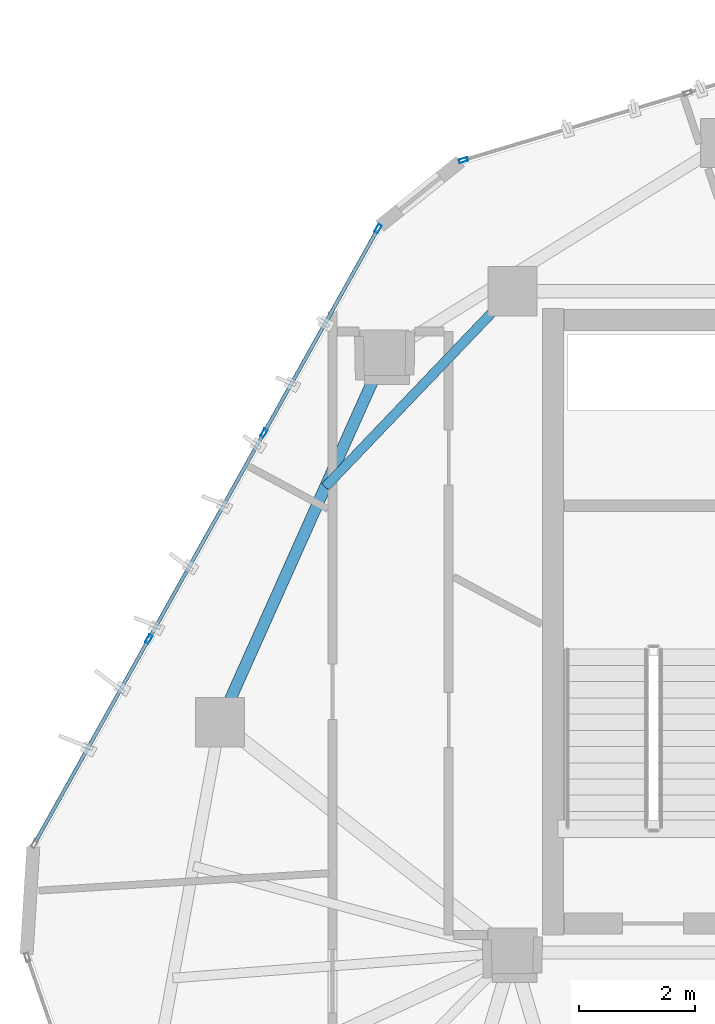
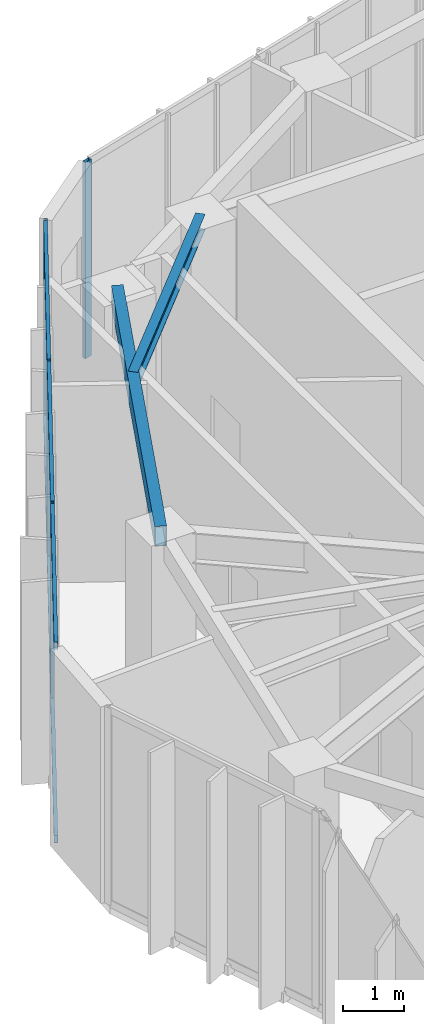
# One storey, part 8 of 20: 10 members, 2 beams, 2 elements without a shape of their own.
"""IFC4 building model written with IfcOpenShell, lengths in metres."""

from ifc_helpers import new_model, si_unit, direction, frame, origin, origin_2d, place, context, subcontext, project, spatial, hollow_rectangle, i_section, extrude, source, transform, mapped, material, layer, layer_set, material_profile, profile_set, type_object, type_shapes, element, aggregate, save


model = new_model("IFC4")

# Units and contexts
model_context = context("Model", 3, precision=1e-05, world=origin(), true_north=direction((0.0, 1.0)))
body_context = subcontext(model_context, "Body", "Model", "MODEL_VIEW")
ifc_project = project(units=[si_unit("LENGTHUNIT", "METRE"), si_unit("AREAUNIT", "SQUARE_METRE"), si_unit("VOLUMEUNIT", "CUBIC_METRE"), si_unit("PLANEANGLEUNIT", "RADIAN"), si_unit("MASSUNIT", "GRAM", prefix="KILO")], contexts=[model_context])

# Site, building, storey
site_placement = place(None, origin())
site = spatial("IfcSite", under=ifc_project, at=site_placement, CompositionType="ELEMENT")
building_placement = place(site_placement, origin())
building = spatial("IfcBuilding", under=site, at=building_placement, Name="Talar Marvaseh", CompositionType="ELEMENT")
storey_placement = place(building_placement, frame((0.0, 0.0, 291.800048828125)))
storey = spatial("IfcBuildingStorey", under=building, at=storey_placement, Name="L78", CompositionType="ELEMENT", Elevation=291.800048828125)

# Beams
ifc_material_1 = material(Name="Steel S355", Category="steel")
ifc_material_profile_1 = material_profile(ifc_material_1, hollow_rectangle(XDim=0.199951171875, YDim=0.39990234375, WallThickness=0.013916015625, at=origin_2d()), Name="RHS400x200x14")
ifc_profile_set_1 = profile_set([ifc_material_profile_1], Name="Steel S355")
beam_type_1 = type_object("IfcBeamType", Name="Zone 3 Perimeter Spandrel Beam RHS400x200x14", PredefinedType="SPANDREL", material=ifc_profile_set_1)
beam_1_placement = place(storey_placement, frame((13.657958984375, 29.469970703125, 3.739990234375), z_axis=(0.408486346803, 0.912764429892, 0.0), x_axis=(-0.912764429892, 0.408486346803, 0.0)))
element("IfcBeam", 1, at=beam_1_placement, inside=storey, type_object=beam_type_1, Name="L78 Zone 3 Perimeter Spandrel Beam RHS400x200x14", PredefinedType="SPANDREL", context=body_context, shape_type="SweptSolid", body=[
    extrude(hollow_rectangle(XDim=0.199951171875, YDim=0.39990234375, WallThickness=0.013916015625, at=origin_2d()), origin(), (0.0, 0.0, 1.0), 6.942626953125),
])
ifc_material_profile_2 = material_profile(ifc_material_1, i_section(OverallWidth=0.166015625, OverallDepth=0.31298828125, WebThickness=0.006591796875, FlangeThickness=0.01123046875, at=origin_2d()), Name="W310x45")
ifc_profile_set_2 = profile_set([ifc_material_profile_2], Name="Steel S355")
beam_type_2 = type_object("IfcBeamType", Name="Zone 3 Secondary Floor Joist W310x45", PredefinedType="JOIST", material=ifc_profile_set_2)
beam_2_placement = place(storey_placement, frame((15.472900390625, 33.525634765625, 3.783447265625), z_axis=(0.691165656787, 0.722696364235, 0.0), x_axis=(-0.722696364235, 0.691165656787, 0.0)))
element("IfcBeam", 2, at=beam_2_placement, inside=storey, type_object=beam_type_2, Name="L78 Zone 3 Secondary Floor Joist W310x45", PredefinedType="JOIST", context=body_context, shape_type="SweptSolid", body=[
    extrude(i_section(OverallWidth=0.166015625, OverallDepth=0.31298828125, WebThickness=0.006591796875, FlangeThickness=0.01123046875, at=origin_2d()), origin(), (0.0, 0.0, 1.0), 4.6689453125),
])

# Curtain wall, members
ifc_material_2 = material(Name="Architectural Aluminium", Category="aluminium")
ifc_layer = layer(ifc_material_2, 0.239990234375)
ifc_layer_set = layer_set([ifc_layer], Name="Architectural Aluminium")
curtain_wall_type = type_object("IfcCurtainWallType", Name="Observation Sky Gallery Structural Glass Wall", PredefinedType="NOTDEFINED", material=ifc_layer_set)
curtain_wall_1_placement = place(storey_placement, origin())
curtain_wall_1 = element("IfcCurtainWall", 3, at=curtain_wall_1_placement, inside=storey, type_object=curtain_wall_type, Name="L78 Observation Sky Gallery Structural Glass Wall", PredefinedType="NOTDEFINED")
ifc_material_profile_3 = material_profile(ifc_material_2, hollow_rectangle(XDim=0.06494140625, YDim=0.14990234375, WallThickness=0.00390625, at=origin_2d()), Name="RHS150x65x4")
ifc_profile_set_3 = profile_set([ifc_material_profile_3], Name="Architectural Aluminium")
member_type_1 = type_object("IfcMemberType", Name="Unitised Curtain Wall Slim Transom RHS150x65x4", PredefinedType="USERDEFINED", material=ifc_profile_set_3)
shared_shape_1 = source(origin(), body_context, "Body", "SweptSolid", [
    extrude(hollow_rectangle(XDim=0.06494140625, YDim=0.14990234375, WallThickness=0.00390625, at=origin_2d()), origin(), (0.0, 0.0, 1.0), 3.97119140625),
])
member_1_placement = place(storey_placement, frame((10.478759765625, 27.405029296875, 0.032470703125), z_axis=(0.487593984465, 0.873070504778, 0.0), x_axis=(-0.873070504778, 0.487593984465, 0.0)))
member_1 = element("IfcMember", 4, at=member_1_placement, type_object=member_type_1, Name="CW-OBS transom 1.1", ObjectType="TRANSOM", PredefinedType="USERDEFINED", context=body_context, shape_type="MappedRepresentation", body=[
    mapped(shared_shape_1, transform((0.0, 0.0, 0.0), x_axis=(1.0, 0.0, 0.0), y_axis=(0.0, 1.0, 0.0), z_axis=(0.0, 0.0, 1.0), scale=1.0)),
])
member_2_placement = place(storey_placement, frame((10.478759765625, 27.405029296875, 3.907470703125), z_axis=(0.487593984465, 0.873070504778, 0.0), x_axis=(-0.873070504778, 0.487593984465, 0.0)))
member_2 = element("IfcMember", 5, at=member_2_placement, type_object=member_type_1, Name="CW-OBS transom 1.2", ObjectType="TRANSOM", PredefinedType="USERDEFINED", context=body_context, shape_type="MappedRepresentation", body=[
    mapped(shared_shape_1, transform((0.0, 0.0, 0.0), x_axis=(1.0, 0.0, 0.0), y_axis=(0.0, 1.0, 0.0), z_axis=(0.0, 0.0, 1.0), scale=1.0)),
])
member_3_placement = place(storey_placement, frame((14.430419921875, 34.48095703125, 0.032470703125), z_axis=(0.487567813583, 0.873085120225, 0.0), x_axis=(-0.873085120225, 0.487567813583, 0.0)))
member_3 = element("IfcMember", 6, at=member_3_placement, type_object=member_type_1, Name="CW-OBS transom 3.1", ObjectType="TRANSOM", PredefinedType="USERDEFINED", context=body_context, shape_type="MappedRepresentation", body=[
    mapped(shared_shape_1, transform((0.0, 0.0, 0.0), x_axis=(1.0, 0.0, 0.0), y_axis=(0.0, 1.0, 0.0), z_axis=(0.0, 0.0, 1.0), scale=1.0)),
])
member_4_placement = place(storey_placement, frame((14.430419921875, 34.48095703125, 3.907470703125), z_axis=(0.487567813583, 0.873085120225, 0.0), x_axis=(-0.873085120225, 0.487567813583, 0.0)))
member_4 = element("IfcMember", 7, at=member_4_placement, type_object=member_type_1, Name="CW-OBS transom 3.2", ObjectType="TRANSOM", PredefinedType="USERDEFINED", context=body_context, shape_type="MappedRepresentation", body=[
    mapped(shared_shape_1, transform((0.0, 0.0, 0.0), x_axis=(1.0, 0.0, 0.0), y_axis=(0.0, 1.0, 0.0), z_axis=(0.0, 0.0, 1.0), scale=1.0)),
])
shared_shape_2 = source(origin(), body_context, "Body", "SweptSolid", [
    extrude(hollow_rectangle(XDim=0.06494140625, YDim=0.14990234375, WallThickness=0.00390625, at=origin_2d()), origin(), (0.0, 0.0, 1.0), 4.003662109375),
])
type_shapes(member_type_1, [shared_shape_1, shared_shape_2])
member_5_placement = place(storey_placement, frame((12.44677734375, 30.9287109375, 0.032470703125), z_axis=(0.487578070872, 0.87307939204, 0.0), x_axis=(-0.87307939204, 0.487578070872, 0.0)))
member_5 = element("IfcMember", 8, at=member_5_placement, type_object=member_type_1, Name="CW-OBS transom 2.1", ObjectType="TRANSOM", PredefinedType="USERDEFINED", context=body_context, shape_type="MappedRepresentation", body=[
    mapped(shared_shape_2, transform((0.0, 0.0, 0.0), x_axis=(1.0, 0.0, 0.0), y_axis=(0.0, 1.0, 0.0), z_axis=(0.0, 0.0, 1.0), scale=1.0)),
])
member_6_placement = place(storey_placement, frame((12.44677734375, 30.9287109375, 3.907470703125), z_axis=(0.487578070872, 0.87307939204, 0.0), x_axis=(-0.87307939204, 0.487578070872, 0.0)))
member_6 = element("IfcMember", 9, at=member_6_placement, type_object=member_type_1, Name="CW-OBS transom 2.2", ObjectType="TRANSOM", PredefinedType="USERDEFINED", context=body_context, shape_type="MappedRepresentation", body=[
    mapped(shared_shape_2, transform((0.0, 0.0, 0.0), x_axis=(1.0, 0.0, 0.0), y_axis=(0.0, 1.0, 0.0), z_axis=(0.0, 0.0, 1.0), scale=1.0)),
])
ifc_material_profile_4 = material_profile(ifc_material_2, hollow_rectangle(XDim=0.06494140625, YDim=0.14990234375, WallThickness=0.00390625, at=origin_2d()), Name="RHS150x65x4")
ifc_profile_set_4 = profile_set([ifc_material_profile_4], Name="Architectural Aluminium")
member_type_2 = type_object("IfcMemberType", Name="Unitised Curtain Wall Slim Mullion RHS150x65x4", PredefinedType="MULLION", material=ifc_profile_set_4)
shared_shape_3 = source(origin(), body_context, "Body", "SweptSolid", [
    extrude(hollow_rectangle(XDim=0.06494140625, YDim=0.14990234375, WallThickness=0.00390625, at=origin_2d()), origin(), (0.0, 0.0, 1.0), 3.93994140625),
])
type_shapes(member_type_2, [shared_shape_3])
member_7_placement = place(storey_placement, frame((12.430908203125, 30.900390625, 0.0), z_axis=(0.0, 0.0, 1.0), x_axis=(-0.873073049607, 0.487589427747, 0.0)))
member_7 = element("IfcMember", 10, at=member_7_placement, type_object=member_type_2, Name="CW-OBS mullion 2", PredefinedType="MULLION", context=body_context, shape_type="MappedRepresentation", body=[
    mapped(shared_shape_3, transform((0.0, 0.0, 0.0), x_axis=(1.0, 0.0, 0.0), y_axis=(0.0, 1.0, 0.0), z_axis=(0.0, 0.0, 1.0), scale=1.0)),
])
member_8_placement = place(storey_placement, frame((14.41455078125, 34.45263671875, 0.0), z_axis=(0.0, 0.0, 1.0), x_axis=(-0.873073049607, 0.487589427747, 0.0)))
member_8 = element("IfcMember", 11, at=member_8_placement, type_object=member_type_2, Name="CW-OBS mullion 3", PredefinedType="MULLION", context=body_context, shape_type="MappedRepresentation", body=[
    mapped(shared_shape_3, transform((0.0, 0.0, 0.0), x_axis=(1.0, 0.0, 0.0), y_axis=(0.0, 1.0, 0.0), z_axis=(0.0, 0.0, 1.0), scale=1.0)),
])
member_9_placement = place(storey_placement, frame((16.382568359375, 37.9765625, 0.0), z_axis=(0.0, 0.0, 1.0), x_axis=(-0.873073049607, 0.487589427747, 0.0)))
member_9 = element("IfcMember", 12, at=member_9_placement, type_object=member_type_2, Name="CW-OBS mullion 4", PredefinedType="MULLION", context=body_context, shape_type="MappedRepresentation", body=[
    mapped(shared_shape_3, transform((0.0, 0.0, 0.0), x_axis=(1.0, 0.0, 0.0), y_axis=(0.0, 1.0, 0.0), z_axis=(0.0, 0.0, 1.0), scale=1.0)),
])
aggregate(curtain_wall_1, [member_7, member_8, member_9, member_1, member_2, member_5, member_6, member_3, member_4])

# Curtain wall, member
curtain_wall_2_placement = place(storey_placement, origin())
curtain_wall_2 = element("IfcCurtainWall", 13, at=curtain_wall_2_placement, inside=storey, type_object=curtain_wall_type, Name="L78 Observation Sky Gallery Structural Glass Wall", PredefinedType="NOTDEFINED")
member_10_placement = place(storey_placement, frame((17.853515625, 39.156982421875, 0.0), z_axis=(0.0, 0.0, 1.0), x_axis=(-0.287063008418, 0.957911702193, 0.0)))
member_10 = element("IfcMember", 14, at=member_10_placement, type_object=member_type_2, Name="CW-OBS mullion 1", PredefinedType="MULLION", context=body_context, shape_type="MappedRepresentation", body=[
    mapped(shared_shape_3, transform((0.0, 0.0, 0.0), x_axis=(1.0, 0.0, 0.0), y_axis=(0.0, 1.0, 0.0), z_axis=(0.0, 0.0, 1.0), scale=1.0)),
])
aggregate(curtain_wall_2, [member_10])

save(model, "model.ifc")
